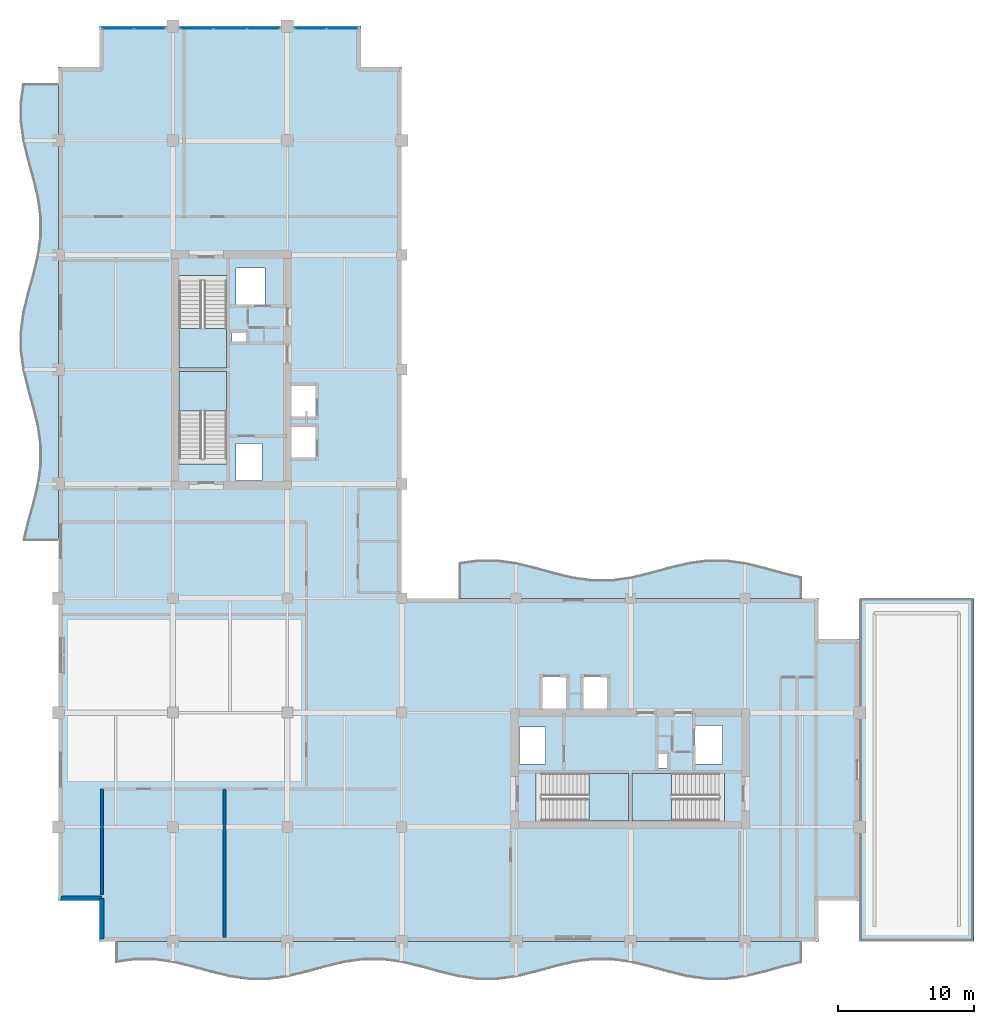
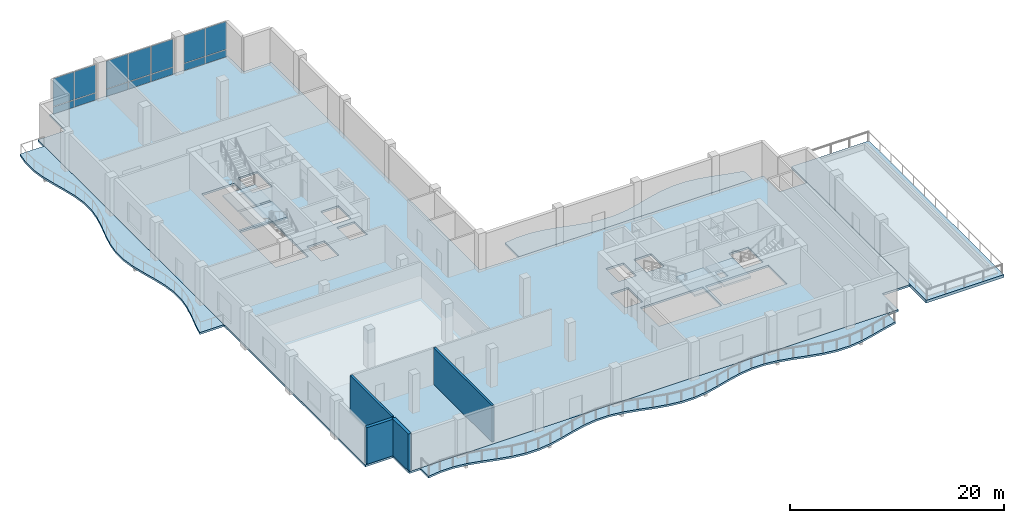
# One storey, part 5 of 16: 14 plates, 9 slabs, 4 walls, 7 elements without a shape of their own.
"""IFC4 building model written with IfcOpenShell, lengths in metres."""

from ifc_helpers import new_model, si_unit, direction, frame, frame_2d, origin, origin_2d, place, context, subcontext, project, spatial, polyline, rectangle, outline, extrude, material, layer, layer_set, type_object, element, aggregate, save


model = new_model("IFC4")

# Units and contexts
model_context = context("Model", 3, precision=1e-05, world=origin(), true_north=direction((0.0, 1.0)))
body_context = subcontext(model_context, "Body", "Model", "MODEL_VIEW")
ifc_project = project(units=[si_unit("LENGTHUNIT", "METRE"), si_unit("AREAUNIT", "SQUARE_METRE"), si_unit("VOLUMEUNIT", "CUBIC_METRE"), si_unit("PLANEANGLEUNIT", "RADIAN"), si_unit("MASSUNIT", "GRAM", prefix="KILO")], contexts=[model_context])

# Site, building, storey
site_placement = place(None, origin())
site = spatial("IfcSite", under=ifc_project, at=site_placement, CompositionType="ELEMENT")
building_placement = place(site_placement, origin())
building = spatial("IfcBuilding", under=site, at=building_placement, Name="Koriwani Terraces Tower", CompositionType="ELEMENT")
storey_placement = place(building_placement, frame((0.0, 0.0, 286.0)))
storey = spatial("IfcBuildingStorey", under=building, at=storey_placement, Name="L71", CompositionType="ELEMENT", Elevation=286.0)

# Curtain wall, plates
ifc_material_1 = material(Name="Anodised Bronze Aluminium", Category="aluminium")
ifc_layer_1 = layer(ifc_material_1, 0.18994140625, Name="Anodised Bronze Aluminium")
ifc_layer_set_1 = layer_set([ifc_layer_1], Name="Anodised Bronze Aluminium")
curtain_wall_type = type_object("IfcCurtainWallType", Name="CW_PENTHOUSE_ZONE5", PredefinedType="NOTDEFINED", material=ifc_layer_set_1)
curtain_wall_1_placement = place(storey_placement, origin())
curtain_wall_1 = element("IfcCurtainWall", 1, at=curtain_wall_1_placement, inside=storey, type_object=curtain_wall_type, Name="L71 Unitised Curtain Wall (N_TIP) Bay 1", PredefinedType="NOTDEFINED")
ifc_material_2 = material(Name="Tempered Laminated Low-E Glass", Category="glass")
ifc_layer_2 = layer(ifc_material_2, 0.028076171875, Name="Tempered Laminated Low-E Glass")
ifc_layer_set_2 = layer_set([ifc_layer_2], Name="Tempered Laminated Low-E Glass")
plate_type = type_object("IfcPlateType", Name="CW_PANEL_VISION_28", PredefinedType="CURTAIN_PANEL", material=ifc_layer_set_2)
plate_1_placement = place(storey_placement, frame((12.7724609375, 75.425048828125, 0.06494140625), z_axis=(0.0, 0.0, 1.0), x_axis=(1.0, 0.0, 0.0)))
plate_1 = element("IfcPlate", 2, at=plate_1_placement, type_object=plate_type, Name="CW-Z5 panel 1.1", PredefinedType="CURTAIN_PANEL", context=body_context, shape_type="SweptSolid", body=[
    extrude(rectangle(XDim=2.2451171875, YDim=0.028076171875, at=origin_2d()), origin(), (0.0, 0.0, 1.0), 0.802490234375),
])
plate_2_placement = place(storey_placement, frame((12.7724609375, 75.425048828125, 0.9326171875), z_axis=(0.0, 0.0, 1.0), x_axis=(1.0, 0.0, 0.0)))
plate_2 = element("IfcPlate", 3, at=plate_2_placement, type_object=plate_type, Name="CW-Z5 panel 1.2", PredefinedType="CURTAIN_PANEL", context=body_context, shape_type="SweptSolid", body=[
    extrude(rectangle(XDim=2.2451171875, YDim=0.028076171875, at=origin_2d()), origin(), (0.0, 0.0, 1.0), 3.172607421875),
])
plate_3_placement = place(storey_placement, frame((15.092529296875, 75.425048828125, 0.06494140625), z_axis=(0.0, 0.0, 1.0), x_axis=(1.0, 0.0, 0.0)))
plate_3 = element("IfcPlate", 4, at=plate_3_placement, type_object=plate_type, Name="CW-Z5 panel 2.1", PredefinedType="CURTAIN_PANEL", context=body_context, shape_type="SweptSolid", body=[
    extrude(rectangle(XDim=2.2451171875, YDim=0.028076171875, at=origin_2d()), origin(), (0.0, 0.0, 1.0), 0.802490234375),
])
plate_4_placement = place(storey_placement, frame((15.092529296875, 75.425048828125, 0.9326171875), z_axis=(0.0, 0.0, 1.0), x_axis=(1.0, 0.0, 0.0)))
plate_4 = element("IfcPlate", 5, at=plate_4_placement, type_object=plate_type, Name="CW-Z5 panel 2.2", PredefinedType="CURTAIN_PANEL", context=body_context, shape_type="SweptSolid", body=[
    extrude(rectangle(XDim=2.2451171875, YDim=0.028076171875, at=origin_2d()), origin(), (0.0, 0.0, 1.0), 3.172607421875),
])
aggregate(curtain_wall_1, [plate_1, plate_2, plate_3, plate_4])

curtain_wall_2_placement = place(storey_placement, origin())
curtain_wall_2 = element("IfcCurtainWall", 6, at=curtain_wall_2_placement, inside=storey, type_object=curtain_wall_type, Name="L71 Unitised Curtain Wall (N_TIP) Bay 2", PredefinedType="NOTDEFINED")
plate_5_placement = place(storey_placement, frame((18.558837890625, 75.425048828125, 0.06494140625), z_axis=(0.0, 0.0, 1.0), x_axis=(1.0, 0.0, 0.0)))
plate_5 = element("IfcPlate", 7, at=plate_5_placement, type_object=plate_type, Name="CW-Z5 panel 1.1", PredefinedType="CURTAIN_PANEL", context=body_context, shape_type="SweptSolid", body=[
    extrude(rectangle(XDim=2.347412109375, YDim=0.028076171875, at=origin_2d()), origin(), (0.0, 0.0, 1.0), 0.802490234375),
])
plate_6_placement = place(storey_placement, frame((18.558837890625, 75.425048828125, 0.9326171875), z_axis=(0.0, 0.0, 1.0), x_axis=(1.0, 0.0, 0.0)))
plate_6 = element("IfcPlate", 8, at=plate_6_placement, type_object=plate_type, Name="CW-Z5 panel 1.2", PredefinedType="CURTAIN_PANEL", context=body_context, shape_type="SweptSolid", body=[
    extrude(rectangle(XDim=2.347412109375, YDim=0.028076171875, at=origin_2d()), origin(), (0.0, 0.0, 1.0), 3.172607421875),
])
plate_7_placement = place(storey_placement, frame((21.0, 75.425048828125, 0.06494140625), z_axis=(0.0, 0.0, 1.0), x_axis=(1.0, 0.0, 0.0)))
plate_7 = element("IfcPlate", 9, at=plate_7_placement, type_object=plate_type, Name="CW-Z5 panel 2.1", PredefinedType="CURTAIN_PANEL", context=body_context, shape_type="SweptSolid", body=[
    extrude(rectangle(XDim=2.385009765625, YDim=0.028076171875, at=origin_2d()), origin(), (0.0, 0.0, 1.0), 0.802490234375),
])
plate_8_placement = place(storey_placement, frame((21.0, 75.425048828125, 0.9326171875), z_axis=(0.0, 0.0, 1.0), x_axis=(1.0, 0.0, 0.0)))
plate_8 = element("IfcPlate", 10, at=plate_8_placement, type_object=plate_type, Name="CW-Z5 panel 2.2", PredefinedType="CURTAIN_PANEL", context=body_context, shape_type="SweptSolid", body=[
    extrude(rectangle(XDim=2.385009765625, YDim=0.028076171875, at=origin_2d()), origin(), (0.0, 0.0, 1.0), 3.172607421875),
])
plate_9_placement = place(storey_placement, frame((23.441162109375, 75.425048828125, 0.06494140625), z_axis=(0.0, 0.0, 1.0), x_axis=(1.0, 0.0, 0.0)))
plate_9 = element("IfcPlate", 11, at=plate_9_placement, type_object=plate_type, Name="CW-Z5 panel 3.1", PredefinedType="CURTAIN_PANEL", context=body_context, shape_type="SweptSolid", body=[
    extrude(rectangle(XDim=2.347412109375, YDim=0.028076171875, at=origin_2d()), origin(), (0.0, 0.0, 1.0), 0.802490234375),
])
plate_10_placement = place(storey_placement, frame((23.441162109375, 75.425048828125, 0.9326171875), z_axis=(0.0, 0.0, 1.0), x_axis=(1.0, 0.0, 0.0)))
plate_10 = element("IfcPlate", 12, at=plate_10_placement, type_object=plate_type, Name="CW-Z5 panel 3.2", PredefinedType="CURTAIN_PANEL", context=body_context, shape_type="SweptSolid", body=[
    extrude(rectangle(XDim=2.347412109375, YDim=0.028076171875, at=origin_2d()), origin(), (0.0, 0.0, 1.0), 3.172607421875),
])
aggregate(curtain_wall_2, [plate_5, plate_6, plate_7, plate_8, plate_9, plate_10])

curtain_wall_3_placement = place(storey_placement, origin())
curtain_wall_3 = element("IfcCurtainWall", 13, at=curtain_wall_3_placement, inside=storey, type_object=curtain_wall_type, Name="L71 Unitised Curtain Wall (N_TIP) Bay 3", PredefinedType="NOTDEFINED")
plate_11_placement = place(storey_placement, frame((26.907470703125, 75.425048828125, 0.06494140625), z_axis=(0.0, 0.0, 1.0), x_axis=(1.0, 0.0, 0.0)))
plate_11 = element("IfcPlate", 14, at=plate_11_placement, type_object=plate_type, Name="CW-Z5 panel 1.1", PredefinedType="CURTAIN_PANEL", context=body_context, shape_type="SweptSolid", body=[
    extrude(rectangle(XDim=2.2451171875, YDim=0.028076171875, at=origin_2d()), origin(), (0.0, 0.0, 1.0), 0.802490234375),
])
plate_12_placement = place(storey_placement, frame((26.907470703125, 75.425048828125, 0.9326171875), z_axis=(0.0, 0.0, 1.0), x_axis=(1.0, 0.0, 0.0)))
plate_12 = element("IfcPlate", 15, at=plate_12_placement, type_object=plate_type, Name="CW-Z5 panel 1.2", PredefinedType="CURTAIN_PANEL", context=body_context, shape_type="SweptSolid", body=[
    extrude(rectangle(XDim=2.2451171875, YDim=0.028076171875, at=origin_2d()), origin(), (0.0, 0.0, 1.0), 3.172607421875),
])
plate_13_placement = place(storey_placement, frame((29.2275390625, 75.425048828125, 0.06494140625), z_axis=(0.0, 0.0, 1.0), x_axis=(1.0, 0.0, 0.0)))
plate_13 = element("IfcPlate", 16, at=plate_13_placement, type_object=plate_type, Name="CW-Z5 panel 2.1", PredefinedType="CURTAIN_PANEL", context=body_context, shape_type="SweptSolid", body=[
    extrude(rectangle(XDim=2.2451171875, YDim=0.028076171875, at=origin_2d()), origin(), (0.0, 0.0, 1.0), 0.802490234375),
])
plate_14_placement = place(storey_placement, frame((29.2275390625, 75.425048828125, 0.9326171875), z_axis=(0.0, 0.0, 1.0), x_axis=(1.0, 0.0, 0.0)))
plate_14 = element("IfcPlate", 17, at=plate_14_placement, type_object=plate_type, Name="CW-Z5 panel 2.2", PredefinedType="CURTAIN_PANEL", context=body_context, shape_type="SweptSolid", body=[
    extrude(rectangle(XDim=2.2451171875, YDim=0.028076171875, at=origin_2d()), origin(), (0.0, 0.0, 1.0), 3.172607421875),
])
aggregate(curtain_wall_3, [plate_11, plate_12, plate_13, plate_14])

# Slabs
ifc_material_3 = material(Name="Concrete C40/50", Category="concrete")
ifc_layer_3 = layer(ifc_material_3, 0.219970703125, Name="Concrete C40/50")
ifc_layer_set_3 = layer_set([ifc_layer_3], Name="Concrete C40/50")
slab_type_1 = type_object("IfcSlabType", Name="SLAB_BALCONY_220", PredefinedType="FLOOR", material=ifc_layer_set_3)
slab_1_placement = place(storey_placement, frame((0.0, 0.0, -0.219970703125)))
element("IfcSlab", 18, at=slab_1_placement, inside=storey, type_object=slab_type_1, Name="L71 Quilted Circular-Arc Balcony (S)", PredefinedType="FLOOR", context=body_context, shape_type="SweptSolid", body=[
    extrude(outline(polyline([(12.60009765625, 8.39990234375), (14.0, 8.39990234375), (15.39990234375, 8.39990234375), (16.800048828125, 8.39990234375), (18.199951171875, 8.39990234375), (19.60009765625, 8.39990234375), (21.0, 8.39990234375), (22.39990234375, 8.39990234375), (23.800048828125, 8.39990234375), (25.199951171875, 8.39990234375), (26.60009765625, 8.39990234375), (28.0, 8.39990234375), (29.39990234375, 8.39990234375), (30.800048828125, 8.39990234375), (32.199951171875, 8.39990234375), (33.60009765625, 8.39990234375), (35.0, 8.39990234375), (36.39990234375, 8.39990234375), (37.800048828125, 8.39990234375), (39.199951171875, 8.39990234375), (40.60009765625, 8.39990234375), (42.0, 8.39990234375), (43.39990234375, 8.39990234375), (44.800048828125, 8.39990234375), (46.199951171875, 8.39990234375), (47.60009765625, 8.39990234375), (49.0, 8.39990234375), (50.39990234375, 8.39990234375), (51.800048828125, 8.39990234375), (53.199951171875, 8.39990234375), (54.60009765625, 8.39990234375), (56.0, 8.39990234375), (57.39990234375, 8.39990234375), (58.800048828125, 8.39990234375), (60.199951171875, 8.39990234375), (61.60009765625, 8.39990234375), (63.0, 8.39990234375), (63.0, 6.830322265625), (61.60009765625, 6.494140625), (60.199951171875, 6.10595703125), (58.800048828125, 5.769775390625), (57.39990234375, 5.57568359375), (56.0, 5.57568359375), (54.60009765625, 5.769775390625), (53.199951171875, 6.10595703125), (51.800048828125, 6.494140625), (50.39990234375, 6.830322265625), (49.0, 7.0244140625), (47.60009765625, 7.0244140625), (46.199951171875, 6.830322265625), (44.800048828125, 6.494140625), (43.39990234375, 6.10595703125), (42.0, 5.769775390625), (40.60009765625, 5.57568359375), (39.199951171875, 5.57568359375), (37.800048828125, 5.769775390625), (36.39990234375, 6.10595703125), (35.0, 6.494140625), (33.60009765625, 6.830322265625), (32.199951171875, 7.0244140625), (30.800048828125, 7.0244140625), (29.39990234375, 6.830322265625), (28.0, 6.494140625), (26.60009765625, 6.10595703125), (25.199951171875, 5.769775390625), (23.800048828125, 5.57568359375), (22.39990234375, 5.57568359375), (21.0, 5.769775390625), (19.60009765625, 6.10595703125), (18.199951171875, 6.494140625), (16.800048828125, 6.830322265625), (15.39990234375, 7.0244140625), (14.0, 7.0244140625), (12.60009765625, 6.830322265625), (12.60009765625, 8.39990234375)])), origin(), (0.0, 0.0, 1.0), 0.219970703125),
])
slab_2_placement = place(storey_placement, frame((0.0, 0.0, -0.219970703125)))
element("IfcSlab", 19, at=slab_2_placement, inside=storey, type_object=slab_type_1, Name="L71 Quilted Circular-Arc Balcony (W)", PredefinedType="FLOOR", context=body_context, shape_type="SweptSolid", body=[
    extrude(outline(polyline([(8.39990234375, 37.800048828125), (8.39990234375, 39.199951171875), (8.39990234375, 40.60009765625), (8.39990234375, 42.0), (8.39990234375, 43.39990234375), (8.39990234375, 44.800048828125), (8.39990234375, 46.199951171875), (8.39990234375, 47.60009765625), (8.39990234375, 49.0), (8.39990234375, 50.39990234375), (8.39990234375, 51.800048828125), (8.39990234375, 53.199951171875), (8.39990234375, 54.60009765625), (8.39990234375, 56.0), (8.39990234375, 57.39990234375), (8.39990234375, 58.800048828125), (8.39990234375, 60.199951171875), (8.39990234375, 61.60009765625), (8.39990234375, 63.0), (8.39990234375, 64.39990234375), (8.39990234375, 65.800048828125), (8.39990234375, 67.199951171875), (8.39990234375, 68.60009765625), (8.39990234375, 70.0), (8.39990234375, 71.39990234375), (5.769775390625, 71.39990234375), (5.57568359375, 70.0), (5.57568359375, 68.60009765625), (5.769775390625, 67.199951171875), (6.10595703125, 65.800048828125), (6.494140625, 64.39990234375), (6.830322265625, 63.0), (7.0244140625, 61.60009765625), (7.0244140625, 60.199951171875), (6.830322265625, 58.800048828125), (6.494140625, 57.39990234375), (6.10595703125, 56.0), (5.769775390625, 54.60009765625), (5.57568359375, 53.199951171875), (5.57568359375, 51.800048828125), (5.769775390625, 50.39990234375), (6.10595703125, 49.0), (6.494140625, 47.60009765625), (6.830322265625, 46.199951171875), (7.0244140625, 44.800048828125), (7.0244140625, 43.39990234375), (6.830322265625, 42.0), (6.494140625, 40.60009765625), (6.10595703125, 39.199951171875), (5.769775390625, 37.800048828125), (8.39990234375, 37.800048828125)])), origin(), (0.0, 0.0, 1.0), 0.219970703125),
])
slab_3_placement = place(storey_placement, frame((0.0, 0.0, -0.219970703125)))
element("IfcSlab", 20, at=slab_3_placement, inside=storey, type_object=slab_type_1, Name="L71 Quilted Circular-Arc Balcony (NE)", PredefinedType="FLOOR", context=body_context, shape_type="SweptSolid", body=[
    extrude(outline(polyline([(63.0, 33.60009765625), (61.60009765625, 33.60009765625), (60.199951171875, 33.60009765625), (58.800048828125, 33.60009765625), (57.39990234375, 33.60009765625), (56.0, 33.60009765625), (54.60009765625, 33.60009765625), (53.199951171875, 33.60009765625), (51.800048828125, 33.60009765625), (50.39990234375, 33.60009765625), (49.0, 33.60009765625), (47.60009765625, 33.60009765625), (46.199951171875, 33.60009765625), (44.800048828125, 33.60009765625), (43.39990234375, 33.60009765625), (42.0, 33.60009765625), (40.60009765625, 33.60009765625), (39.199951171875, 33.60009765625), (37.800048828125, 33.60009765625), (37.800048828125, 36.230224609375), (39.199951171875, 36.42431640625), (40.60009765625, 36.42431640625), (42.0, 36.230224609375), (43.39990234375, 35.89404296875), (44.800048828125, 35.505859375), (46.199951171875, 35.169677734375), (47.60009765625, 34.9755859375), (49.0, 34.9755859375), (50.39990234375, 35.169677734375), (51.800048828125, 35.505859375), (53.199951171875, 35.89404296875), (54.60009765625, 36.230224609375), (56.0, 36.42431640625), (57.39990234375, 36.42431640625), (58.800048828125, 36.230224609375), (60.199951171875, 35.89404296875), (61.60009765625, 35.505859375), (63.0, 35.169677734375), (63.0, 33.60009765625)])), origin(), (0.0, 0.0, 1.0), 0.219970703125),
])
ifc_layer_4 = layer(ifc_material_3, 0.22998046875, Name="Concrete C40/50")
ifc_layer_set_4 = layer_set([ifc_layer_4], Name="Concrete C40/50")
slab_type_2 = type_object("IfcSlabType", Name="SLAB_RES_TYP_230", PredefinedType="FLOOR", material=ifc_layer_set_4)
slab_4_placement = place(storey_placement, frame((0.0, 0.0, -0.22998046875)))
element("IfcSlab", 21, at=slab_4_placement, inside=storey, type_object=slab_type_2, Name="L71 Structural Floor Slab", PredefinedType="FLOOR", context=body_context, shape_type="SweptSolid", body=[
    extrude(outline(polyline([(11.39990234375, 8.39990234375), (64.199951171875, 8.39990234375), (64.199951171875, 11.39990234375), (67.199951171875, 11.39990234375), (67.199951171875, 30.60009765625), (64.199951171875, 30.60009765625), (64.199951171875, 33.60009765625), (33.60009765625, 33.60009765625), (33.60009765625, 72.60009765625), (30.60009765625, 72.60009765625), (30.60009765625, 75.60009765625), (11.39990234375, 75.60009765625), (11.39990234375, 72.60009765625), (8.39990234375, 72.60009765625), (8.39990234375, 11.39990234375), (11.39990234375, 11.39990234375), (11.39990234375, 8.39990234375)]), holes=[polyline([(17.25, 43.4599609375), (20.75, 43.4599609375), (20.75, 50.25), (17.25, 50.25), (17.25, 43.4599609375)]), polyline([(17.25, 50.5), (20.75, 50.5), (20.75, 57.2900390625), (17.25, 57.2900390625), (17.25, 50.5)]), polyline([(43.4599609375, 17.25), (50.25, 17.25), (50.25, 20.75), (43.4599609375, 20.75), (43.4599609375, 17.25)]), polyline([(50.5, 17.25), (57.2900390625, 17.25), (57.2900390625, 20.75), (50.5, 20.75), (50.5, 17.25)]), polyline([(25.449951171875, 43.85009765625), (27.35009765625, 43.85009765625), (27.35009765625, 46.25), (25.449951171875, 46.25), (25.449951171875, 43.85009765625)]), polyline([(25.449951171875, 46.85009765625), (27.35009765625, 46.85009765625), (27.35009765625, 49.25), (25.449951171875, 49.25), (25.449951171875, 46.85009765625)]), polyline([(43.85009765625, 25.449951171875), (45.75, 25.449951171875), (45.75, 27.85009765625), (43.85009765625, 27.85009765625), (43.85009765625, 25.449951171875)]), polyline([(46.85009765625, 25.449951171875), (48.75, 25.449951171875), (48.75, 27.85009765625), (46.85009765625, 27.85009765625), (46.85009765625, 25.449951171875)]), polyline([(21.449951171875, 55.050048828125), (23.550048828125, 55.050048828125), (23.550048828125, 57.85009765625), (21.449951171875, 57.85009765625), (21.449951171875, 55.050048828125)]), polyline([(55.050048828125, 21.449951171875), (57.14990234375, 21.449951171875), (57.14990234375, 24.25), (55.050048828125, 24.25), (55.050048828125, 21.449951171875)]), polyline([(21.449951171875, 42.25), (23.35009765625, 42.25), (23.35009765625, 44.949951171875), (21.449951171875, 44.949951171875), (21.449951171875, 42.25)]), polyline([(42.25, 21.449951171875), (44.14990234375, 21.449951171875), (44.14990234375, 24.14990234375), (42.25, 24.14990234375), (42.25, 21.449951171875)]), polyline([(21.14990234375, 52.419921875), (22.219970703125, 52.419921875), (22.219970703125, 53.179931640625), (21.14990234375, 53.179931640625), (21.14990234375, 52.419921875)]), polyline([(52.419921875, 21.14990234375), (53.179931640625, 21.14990234375), (53.179931640625, 22.219970703125), (52.419921875, 22.219970703125), (52.419921875, 21.14990234375)])]), origin(), (0.0, 0.0, 1.0), 0.22998046875),
])
ifc_material_4 = material(Name="Concrete C50/60", Category="concrete")
ifc_layer_5 = layer(ifc_material_4, 0.320068359375, Name="Concrete C50/60")
ifc_layer_set_5 = layer_set([ifc_layer_5], Name="Concrete C50/60")
slab_type_3 = type_object("IfcSlabType", Name="SLAB_SKY_TERRACE_ROOF_320", PredefinedType="ROOF", material=ifc_layer_set_5)
slab_5_placement = place(storey_placement, frame((0.0, 0.0, -0.320068359375)))
element("IfcSlab", 22, at=slab_5_placement, inside=storey, type_object=slab_type_3, Name="L71 Planted Sky-Garden Setback Terrace Slab", PredefinedType="ROOF", context=body_context, shape_type="SweptSolid", body=[
    extrude(outline(polyline([(67.199951171875, 8.39990234375), (75.60009765625, 8.39990234375), (75.60009765625, 33.60009765625), (67.199951171875, 33.60009765625), (67.199951171875, 8.39990234375)])), origin(), (0.0, 0.0, 1.0), 0.320068359375),
])

# Stair, slab
stair_type = type_object("IfcStairType", Name="STAIR_CORE_DOGLEG_1650", PredefinedType="TWO_STRAIGHT_RUN_STAIR", material=ifc_material_3)
stair_1_placement = place(storey_placement, origin())
stair_1 = element("IfcStair", 23, at=stair_1_placement, inside=storey, type_object=stair_type, Name="L71 West Core Exit Stair 1", PredefinedType="HALF_TURN_STAIR")
ifc_layer_6 = layer(ifc_material_3, 0.199951171875, Name="Concrete C40/50")
ifc_layer_set_6 = layer_set([ifc_layer_6], Name="Concrete C40/50")
slab_type_4 = type_object("IfcSlabType", Name="SLAB_STAIR_LANDING_200", PredefinedType="LANDING", material=ifc_layer_set_6)
slab_6_placement = place(storey_placement, frame((0.0, 0.0, 2.0)))
slab_6 = element("IfcSlab", 24, at=slab_6_placement, type_object=slab_type_4, Name="ST-W1 landing 1", PredefinedType="LANDING", context=body_context, shape_type="SweptSolid", body=[
    extrude(outline(polyline([(20.75, 47.330078125), (20.75, 50.25), (17.25, 50.25), (17.25, 47.330078125), (20.75, 47.330078125)])), origin(), (0.0, 0.0, 1.0), 0.199951171875),
])
aggregate(stair_1, [slab_6])

stair_2_placement = place(storey_placement, origin())
stair_2 = element("IfcStair", 25, at=stair_2_placement, inside=storey, type_object=stair_type, Name="L71 West Core Exit Stair 2", PredefinedType="HALF_TURN_STAIR")
slab_7_placement = place(storey_placement, frame((0.0, 0.0, 2.0)))
slab_7 = element("IfcSlab", 26, at=slab_7_placement, type_object=slab_type_4, Name="ST-W2 landing 1", PredefinedType="LANDING", context=body_context, shape_type="SweptSolid", body=[
    extrude(outline(polyline([(17.25, 53.419921875), (17.25, 50.5), (20.75, 50.5), (20.75, 53.419921875), (17.25, 53.419921875)])), origin(), (0.0, 0.0, 1.0), 0.199951171875),
])
aggregate(stair_2, [slab_7])

stair_3_placement = place(storey_placement, origin())
stair_3 = element("IfcStair", 27, at=stair_3_placement, inside=storey, type_object=stair_type, Name="L71 East Core Exit Stair 1", PredefinedType="HALF_TURN_STAIR")
slab_8_placement = place(storey_placement, frame((0.0, 0.0, 2.0)))
slab_8 = element("IfcSlab", 28, at=slab_8_placement, type_object=slab_type_4, Name="ST-E1 landing 1", PredefinedType="LANDING", context=body_context, shape_type="SweptSolid", body=[
    extrude(outline(polyline([(47.330078125, 17.25), (50.25, 17.25), (50.25, 20.75), (47.330078125, 20.75), (47.330078125, 17.25)])), origin(), (0.0, 0.0, 1.0), 0.199951171875),
])
aggregate(stair_3, [slab_8])

stair_4_placement = place(storey_placement, origin())
stair_4 = element("IfcStair", 29, at=stair_4_placement, inside=storey, type_object=stair_type, Name="L71 East Core Exit Stair 2", PredefinedType="HALF_TURN_STAIR")
slab_9_placement = place(storey_placement, frame((0.0, 0.0, 2.0)))
slab_9 = element("IfcSlab", 30, at=slab_9_placement, type_object=slab_type_4, Name="ST-E2 landing 1", PredefinedType="LANDING", context=body_context, shape_type="SweptSolid", body=[
    extrude(outline(polyline([(53.419921875, 20.75), (50.5, 20.75), (50.5, 17.25), (53.419921875, 17.25), (53.419921875, 20.75)])), origin(), (0.0, 0.0, 1.0), 0.199951171875),
])
aggregate(stair_4, [slab_9])

# Walls
ifc_material_5 = material(Name="Autoclaved Cellular Concrete Blockwork", Category="masonry")
ifc_layer_7 = layer(ifc_material_5, 0.219970703125, Name="Autoclaved Cellular Concrete Blockwork")
ifc_layer_set_7 = layer_set([ifc_layer_7], Name="Autoclaved Cellular Concrete Blockwork")
wall_type_1 = type_object("IfcWallType", Name="WALL_DEMISING_220", PredefinedType="PARTITIONING", material=ifc_layer_set_7)
wall_1_placement = place(storey_placement, frame((11.60009765625, 11.85009765625, 0.0), z_axis=(0.0, 0.0, 1.0), x_axis=(0.0, 1.0, 0.0)))
element("IfcWall", 31, at=wall_1_placement, inside=storey, type_object=wall_type_1, Name="L71 Interior Wall WSKY-SPW-L71", PredefinedType="PARTITIONING", context=body_context, shape_type="SweptSolid", body=[
    extrude(rectangle(XDim=7.75, YDim=0.219970703125, at=frame_2d((3.875, 0.0))), origin(), (0.0, 0.0, 1.0), 4.169921875),
])
wall_2_placement = place(storey_placement, frame((20.60009765625, 8.699951171875, 0.0), z_axis=(0.0, 0.0, 1.0), x_axis=(0.0, 1.0, 0.0)))
element("IfcWall", 32, at=wall_2_placement, inside=storey, type_object=wall_type_1, Name="L71 Interior Wall WSKY-SPM-L71", PredefinedType="PARTITIONING", context=body_context, shape_type="SweptSolid", body=[
    extrude(rectangle(XDim=10.900146484375, YDim=0.219970703125, at=frame_2d((5.4501953125, 0.0))), origin(), (0.0, 0.0, 1.0), 4.169921875),
])
ifc_layer_8 = layer(ifc_material_4, 0.35009765625, Name="Concrete C50/60")
ifc_layer_set_8 = layer_set([ifc_layer_8], Name="Concrete C50/60")
wall_type_2 = type_object("IfcWallType", Name="WALL_EXT_BRUTALIST_350", PredefinedType="STANDARD", material=ifc_layer_set_8)
for number, where, z_axis, x_axis, name in (
    (33, (11.574951171875, 8.574951171875, 0.0), (0.0, 0.0, 1.0), (0.0, 1.0, 0.0), "L71 Fair-Faced Brutalist Exterior Wall (N0)"),
    (34, (11.574951171875, 11.574951171875, 0.0), (0.0, 0.0, 1.0), (-1.0, 0.0, 0.0), "L71 Fair-Faced Brutalist Exterior Wall (N1)"),
):
    element("IfcWall", number, at=place(storey_placement, frame(where, z_axis=z_axis, x_axis=x_axis)), inside=storey, type_object=wall_type_2, Name=name, PredefinedType="STANDARD", context=body_context, shape_type="SweptSolid", body=[
        extrude(rectangle(XDim=3.0, YDim=0.35009765625, at=frame_2d((1.5, 0.0))), origin(), (0.0, 0.0, 1.0), 4.169921875),
    ])

save(model, "model.ifc")
